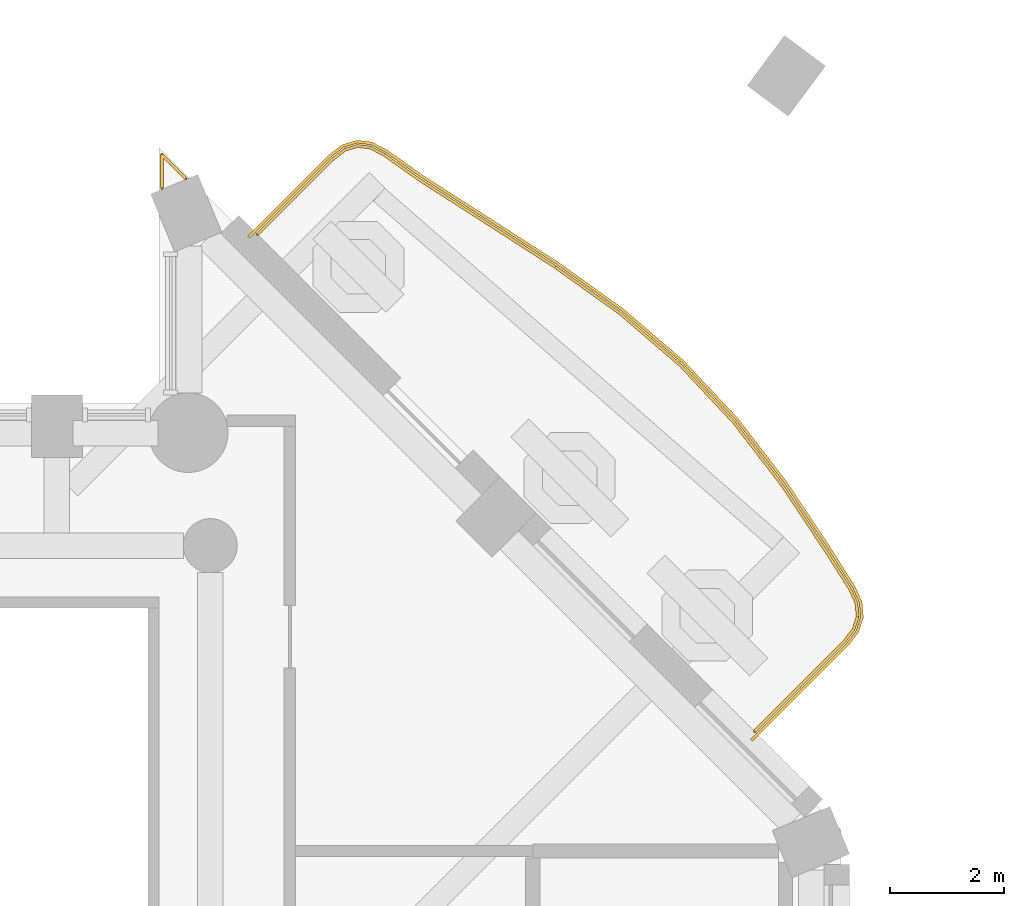
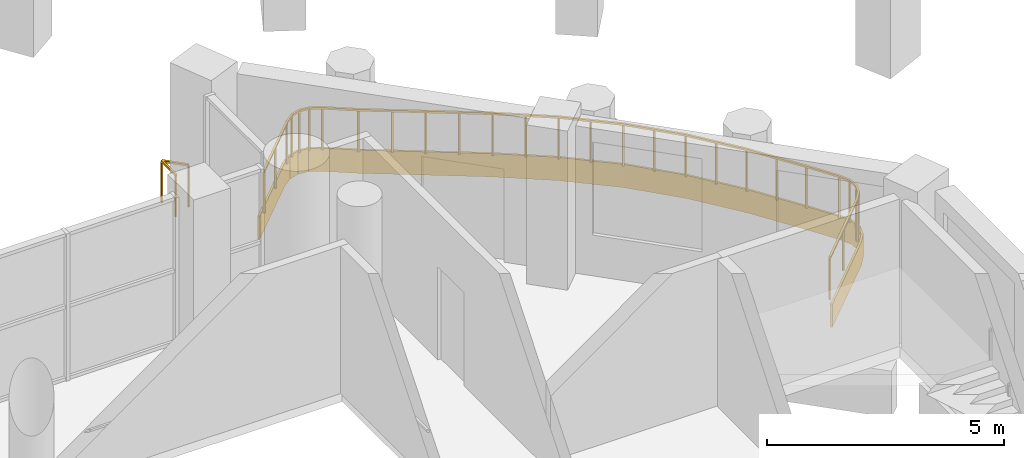
# One storey, part 14 of 15: 2 railings, 1 covering.
"""IFC4 building model written with IfcOpenShell, lengths in metres."""

from ifc_helpers import new_model, si_unit, direction, frame, origin, origin_2d, place, context, subcontext, project, spatial, polyline, rectangle, outline, extrude, material, layer, layer_set, type_object, element, save


model = new_model("IFC4")

# Units and contexts
model_context = context("Model", 3, precision=1e-05, world=origin(), true_north=direction((0.0, 1.0)))
body_context = subcontext(model_context, "Body", "Model", "MODEL_VIEW")
ifc_project = project(units=[si_unit("LENGTHUNIT", "METRE"), si_unit("AREAUNIT", "SQUARE_METRE"), si_unit("VOLUMEUNIT", "CUBIC_METRE"), si_unit("PLANEANGLEUNIT", "RADIAN"), si_unit("MASSUNIT", "GRAM", prefix="KILO")], contexts=[model_context])

# Site, building, storey
site_placement = place(None, origin())
site = spatial("IfcSite", under=ifc_project, at=site_placement, CompositionType="ELEMENT")
building_placement = place(site_placement, origin())
building = spatial("IfcBuilding", under=site, at=building_placement, Name="Cypress Arch Tower", CompositionType="ELEMENT")
storey_placement = place(building_placement, frame((0.0, 0.0, 164.60009765625)))
storey = spatial("IfcBuildingStorey", under=building, at=storey_placement, Name="L35", CompositionType="ELEMENT", Elevation=164.60009765625)

# Covering
ifc_material_1 = material(Name="White powder-coated aluminium fascia", Category="aluminium")
ifc_layer = layer(ifc_material_1, 0.050048828125)
ifc_layer_set = layer_set([ifc_layer], Name="Balcony fascia BF50")
covering_type = type_object("IfcCoveringType", Name="Balcony fascia BF50", PredefinedType="CLADDING", material=ifc_layer_set)
covering_placement = place(storey_placement, frame((0.0, 0.0, -0.60009765625)))
element("IfcCovering", 1, at=covering_placement, inside=storey, type_object=covering_type, Name="Balcony fascia L35-B05", PredefinedType="CLADDING", context=body_context, shape_type="SweptSolid", body=[
    extrude(outline(polyline([(11.089111328125, 16.8779296875), (11.326904296875, 17.05810546875), (11.582275390625, 17.135009765625), (11.846923828125, 17.102294921875), (12.111572265625, 16.964599609375), (12.744384765625, 16.516357421875), (13.937744140625, 15.751708984375), (15.13134765625, 14.984130859375), (16.276123046875, 14.164306640625), (17.333740234375, 13.255615234375), (18.286376953125, 12.241455078125), (19.140380859375, 11.1298828125), (19.92431640625, 9.951171875), (20.344482421875, 9.2880859375), (20.470703125, 9.0126953125), (20.494384765625, 8.740478515625), (20.41162109375, 8.480224609375), (20.22802734375, 8.2392578125), (18.545166015625, 6.556396484375), (18.509765625, 6.591796875), (20.190185546875, 8.272216796875), (20.36669921875, 8.503662109375), (20.44384765625, 8.74609375), (20.421630859375, 8.99951171875), (20.30029296875, 9.26416015625), (19.882568359375, 9.924072265625), (19.099609375, 11.100830078125), (18.248291015625, 12.208984375), (17.29931640625, 13.219482421875), (16.2451171875, 14.125), (15.103271484375, 14.942626953125), (13.910888671875, 15.709716796875), (12.71630859375, 16.474853515625), (12.08544921875, 16.921630859375), (11.831787109375, 17.0537109375), (11.586669921875, 17.084228515625), (11.35009765625, 17.012939453125), (11.1220703125, 16.840087890625), (9.691650390625, 15.40966796875), (9.65625, 15.445068359375), (11.089111328125, 16.8779296875)])), origin(), (0.0, 0.0, 1.0), 0.60009765625),
])

# Railings
ifc_material_2 = material(Name="Powder-coated steel posts and rods, 100 mm clear between rods", Category="steel")
railing_type_1 = type_object("IfcRailingType", Name="Balcony guard GR1100", PredefinedType="GUARDRAIL", material=ifc_material_2)
railing_1_placement = place(storey_placement, frame((9.83251953125, 15.479736328125, 0.0)))
element("IfcRailing", 2, at=railing_1_placement, inside=storey, type_object=railing_type_1, Name="Balcony guard L35-B05", PredefinedType="GUARDRAIL", context=body_context, shape_type="SweptSolid", body=[
    extrude(rectangle(XDim=0.050048828125, YDim=0.050048828125, at=origin_2d()), frame((0.0, 0.0, 1.0751953125), z_axis=(0.707106781187, 0.707106781187, 0.0), x_axis=(-0.707106781187, 0.707106781187, 0.0)), (0.0, 0.0, 1.0), 1.870361328125),
    extrude(rectangle(XDim=0.050048828125, YDim=0.050048828125, at=origin_2d()), frame((1.322509765625, 1.322509765625, 1.0751953125), z_axis=(0.796883847046, 0.604132546977, 0.0), x_axis=(-0.604132546977, 0.796883847046, 0.0)), (0.0, 0.0, 1.0), 0.273681640625),
    extrude(rectangle(XDim=0.050048828125, YDim=0.050048828125, at=origin_2d()), frame((1.54052734375, 1.48779296875, 1.0751953125), z_axis=(0.957411715841, 0.28872617888, 0.0), x_axis=(-0.28872617888, 0.957411715841, 0.0)), (0.0, 0.0, 1.0), 0.2275390625),
    extrude(rectangle(XDim=0.050048828125, YDim=0.050048828125, at=origin_2d()), frame((1.75830078125, 1.553466796875, 1.0751953125), z_axis=(0.992360181842, -0.123374509094, 0.0), x_axis=(0.123374509094, 0.992360181842, 0.0)), (0.0, 0.0, 1.0), 0.2275390625),
    extrude(rectangle(XDim=0.050048828125, YDim=0.050048828125, at=origin_2d()), frame((1.984130859375, 1.525390625, 1.0751953125), z_axis=(0.887172957686, -0.461437041372, 0.0), x_axis=(0.461437041372, 0.887172957686, 0.0)), (0.0, 0.0, 1.0), 0.2734375),
    extrude(rectangle(XDim=0.050048828125, YDim=0.050048828125, at=origin_2d()), frame((2.226806640625, 1.399169921875, 1.0751953125), z_axis=(0.816080490924, -0.577938259967, 0.0), x_axis=(0.577938259967, 0.816080490924, 0.0)), (0.0, 0.0, 1.0), 0.77099609375),
    extrude(rectangle(XDim=0.050048828125, YDim=0.050048828125, at=origin_2d()), frame((2.85595703125, 0.95361328125, 1.0751953125), z_axis=(0.842071434098, -0.539366016612, 0.0), x_axis=(0.539366016612, 0.842071434098, 0.0)), (0.0, 0.0, 1.0), 1.41943359375),
    extrude(rectangle(XDim=0.050048828125, YDim=0.050048828125, at=origin_2d()), frame((4.05126953125, 0.18798828125, 1.0751953125), z_axis=(0.841032855667, -0.54098404384, 0.0), x_axis=(0.54098404384, 0.841032855667, 0.0)), (0.0, 0.0, 1.0), 1.41650390625),
    extrude(rectangle(XDim=0.050048828125, YDim=0.050048828125, at=origin_2d()), frame((5.24267578125, -0.578369140625, 1.0751953125), z_axis=(0.813061821479, -0.582177356528, 0.0), x_axis=(0.582177356528, 0.813061821479, 0.0)), (0.0, 0.0, 1.0), 1.401123046875),
    extrude(rectangle(XDim=0.050048828125, YDim=0.050048828125, at=origin_2d()), frame((6.3818359375, -1.39404296875, 1.0751953125), z_axis=(0.758509354462, -0.651662151114, 0.0), x_axis=(0.651662151114, 0.758509354462, 0.0)), (0.0, 0.0, 1.0), 1.384765625),
    extrude(rectangle(XDim=0.050048828125, YDim=0.050048828125, at=origin_2d()), frame((7.43212890625, -2.29638671875, 1.0751953125), z_axis=(0.684575868373, -0.72894161662, 0.0), x_axis=(0.72894161662, 0.684575868373, 0.0)), (0.0, 0.0, 1.0), 1.38134765625),
    extrude(rectangle(XDim=0.050048828125, YDim=0.050048828125, at=origin_2d()), frame((8.377685546875, -3.30322265625, 1.0751953125), z_axis=(0.609100856846, -0.793092772751, 0.0), x_axis=(0.793092772751, 0.609100856846, 0.0)), (0.0, 0.0, 1.0), 1.393310546875),
    extrude(rectangle(XDim=0.050048828125, YDim=0.050048828125, at=origin_2d()), frame((9.226318359375, -4.408203125, 1.0751953125), z_axis=(0.553981328102, -0.832529091452, 0.0), x_axis=(0.832529091452, 0.553981328102, 0.0)), (0.0, 0.0, 1.0), 1.4111328125),
    extrude(rectangle(XDim=0.050048828125, YDim=0.050048828125, at=origin_2d()), frame((10.008056640625, -5.5830078125, 1.0751953125), z_axis=(0.535044606674, -0.844823809364, 0.0), x_axis=(0.844823809364, 0.535044606674, 0.0)), (0.0, 0.0, 1.0), 0.777099609375),
    extrude(rectangle(XDim=0.050048828125, YDim=0.050048828125, at=origin_2d()), frame((10.423828125, -6.239501953125, 1.0751953125), z_axis=(0.41650405768, -0.909133856996, 0.0), x_axis=(0.909133856996, 0.41650405768, 0.0)), (0.0, 0.0, 1.0), 0.279052734375),
    extrude(rectangle(XDim=0.050048828125, YDim=0.050048828125, at=origin_2d()), frame((10.5400390625, -6.4931640625, 1.0751953125), z_axis=(0.086987102677, -0.996209437803, 0.0), x_axis=(0.996209437803, 0.086987102677, 0.0)), (0.0, 0.0, 1.0), 0.23583984375),
    extrude(rectangle(XDim=0.050048828125, YDim=0.050048828125, at=origin_2d()), frame((10.560546875, -6.72802734375, 1.0751953125), z_axis=(-0.303460142389, -0.952844133099, 0.0), x_axis=(0.952844133099, -0.303460142389, 0.0)), (0.0, 0.0, 1.0), 0.23583984375),
    extrude(rectangle(XDim=0.050048828125, YDim=0.050048828125, at=origin_2d()), frame((10.489013671875, -6.95263671875, 1.0751953125), z_axis=(-0.605726693045, -0.795672780314, 0.0), x_axis=(0.795672780314, -0.605726693045, 0.0)), (0.0, 0.0, 1.0), 0.27880859375),
    extrude(rectangle(XDim=0.050048828125, YDim=0.050048828125, at=origin_2d()), frame((10.320068359375, -7.174560546875, 1.0751953125), z_axis=(-0.707106781187, -0.707106781187, 0.0), x_axis=(0.707106781187, -0.707106781187, 0.0)), (0.0, 0.0, 1.0), 2.22412109375),
    extrude(rectangle(XDim=0.0400390625, YDim=0.0400390625, at=origin_2d()), origin(), (0.0, 0.0, 1.0), 1.050048828125),
    extrude(rectangle(XDim=0.0400390625, YDim=0.0400390625, at=origin_2d()), frame((0.6611328125, 0.6611328125, 0.0)), (0.0, 0.0, 1.0), 1.050048828125),
    extrude(rectangle(XDim=0.0400390625, YDim=0.0400390625, at=origin_2d()), frame((1.322509765625, 1.322509765625, 0.0)), (0.0, 0.0, 1.0), 1.050048828125),
    extrude(rectangle(XDim=0.0400390625, YDim=0.0400390625, at=origin_2d()), frame((1.54052734375, 1.48779296875, 0.0)), (0.0, 0.0, 1.0), 1.050048828125),
    extrude(rectangle(XDim=0.0400390625, YDim=0.0400390625, at=origin_2d()), frame((1.75830078125, 1.553466796875, 0.0)), (0.0, 0.0, 1.0), 1.050048828125),
    extrude(rectangle(XDim=0.0400390625, YDim=0.0400390625, at=origin_2d()), frame((1.984130859375, 1.525390625, 0.0)), (0.0, 0.0, 1.0), 1.050048828125),
    extrude(rectangle(XDim=0.0400390625, YDim=0.0400390625, at=origin_2d()), frame((2.226806640625, 1.399169921875, 0.0)), (0.0, 0.0, 1.0), 1.050048828125),
    extrude(rectangle(XDim=0.0400390625, YDim=0.0400390625, at=origin_2d()), frame((2.85595703125, 0.95361328125, 0.0)), (0.0, 0.0, 1.0), 1.050048828125),
    extrude(rectangle(XDim=0.0400390625, YDim=0.0400390625, at=origin_2d()), frame((3.45361328125, 0.57080078125, 0.0)), (0.0, 0.0, 1.0), 1.050048828125),
    extrude(rectangle(XDim=0.0400390625, YDim=0.0400390625, at=origin_2d()), frame((4.05126953125, 0.18798828125, 0.0)), (0.0, 0.0, 1.0), 1.050048828125),
    extrude(rectangle(XDim=0.0400390625, YDim=0.0400390625, at=origin_2d()), frame((4.64697265625, -0.1953125, 0.0)), (0.0, 0.0, 1.0), 1.050048828125),
    extrude(rectangle(XDim=0.0400390625, YDim=0.0400390625, at=origin_2d()), frame((5.24267578125, -0.578369140625, 0.0)), (0.0, 0.0, 1.0), 1.050048828125),
    extrude(rectangle(XDim=0.0400390625, YDim=0.0400390625, at=origin_2d()), frame((5.812255859375, -0.986328125, 0.0)), (0.0, 0.0, 1.0), 1.050048828125),
    extrude(rectangle(XDim=0.0400390625, YDim=0.0400390625, at=origin_2d()), frame((6.3818359375, -1.39404296875, 0.0)), (0.0, 0.0, 1.0), 1.050048828125),
    extrude(rectangle(XDim=0.0400390625, YDim=0.0400390625, at=origin_2d()), frame((6.906982421875, -1.84521484375, 0.0)), (0.0, 0.0, 1.0), 1.050048828125),
    extrude(rectangle(XDim=0.0400390625, YDim=0.0400390625, at=origin_2d()), frame((7.43212890625, -2.29638671875, 0.0)), (0.0, 0.0, 1.0), 1.050048828125),
    extrude(rectangle(XDim=0.0400390625, YDim=0.0400390625, at=origin_2d()), frame((7.90478515625, -2.7998046875, 0.0)), (0.0, 0.0, 1.0), 1.050048828125),
    extrude(rectangle(XDim=0.0400390625, YDim=0.0400390625, at=origin_2d()), frame((8.377685546875, -3.30322265625, 0.0)), (0.0, 0.0, 1.0), 1.050048828125),
    extrude(rectangle(XDim=0.0400390625, YDim=0.0400390625, at=origin_2d()), frame((8.802001953125, -3.855712890625, 0.0)), (0.0, 0.0, 1.0), 1.050048828125),
    extrude(rectangle(XDim=0.0400390625, YDim=0.0400390625, at=origin_2d()), frame((9.226318359375, -4.408203125, 0.0)), (0.0, 0.0, 1.0), 1.050048828125),
    extrude(rectangle(XDim=0.0400390625, YDim=0.0400390625, at=origin_2d()), frame((9.6171875, -4.99560546875, 0.0)), (0.0, 0.0, 1.0), 1.050048828125),
    extrude(rectangle(XDim=0.0400390625, YDim=0.0400390625, at=origin_2d()), frame((10.008056640625, -5.5830078125, 0.0)), (0.0, 0.0, 1.0), 1.050048828125),
    extrude(rectangle(XDim=0.0400390625, YDim=0.0400390625, at=origin_2d()), frame((10.423828125, -6.239501953125, 0.0)), (0.0, 0.0, 1.0), 1.050048828125),
    extrude(rectangle(XDim=0.0400390625, YDim=0.0400390625, at=origin_2d()), frame((10.5400390625, -6.4931640625, 0.0)), (0.0, 0.0, 1.0), 1.050048828125),
    extrude(rectangle(XDim=0.0400390625, YDim=0.0400390625, at=origin_2d()), frame((10.560546875, -6.72802734375, 0.0)), (0.0, 0.0, 1.0), 1.050048828125),
    extrude(rectangle(XDim=0.0400390625, YDim=0.0400390625, at=origin_2d()), frame((10.489013671875, -6.95263671875, 0.0)), (0.0, 0.0, 1.0), 1.050048828125),
    extrude(rectangle(XDim=0.0400390625, YDim=0.0400390625, at=origin_2d()), frame((10.320068359375, -7.174560546875, 0.0)), (0.0, 0.0, 1.0), 1.050048828125),
    extrude(rectangle(XDim=0.0400390625, YDim=0.0400390625, at=origin_2d()), frame((9.53369140625, -7.9609375, 0.0)), (0.0, 0.0, 1.0), 1.050048828125),
    extrude(rectangle(XDim=0.0400390625, YDim=0.0400390625, at=origin_2d()), frame((8.747314453125, -8.747314453125, 0.0)), (0.0, 0.0, 1.0), 1.050048828125),
])
ifc_material_3 = material(Name="Powder-coated steel posts and rods, 100 mm clear between rods", Category="steel")
railing_type_2 = type_object("IfcRailingType", Name="Corner guard GR1100C", PredefinedType="GUARDRAIL", material=ifc_material_3)
railing_2_placement = place(storey_placement, frame((8.14990234375, 16.290771484375, 0.0)))
element("IfcRailing", 3, at=railing_2_placement, inside=storey, type_object=railing_type_2, Name="Corner guard L35 7", PredefinedType="GUARDRAIL", context=body_context, shape_type="SweptSolid", body=[
    extrude(rectangle(XDim=0.050048828125, YDim=0.050048828125, at=origin_2d()), frame((0.0, 0.0, 1.0751953125), z_axis=(0.0, 1.0, 0.0), x_axis=(-1.0, 0.0, 0.0)), (0.0, 0.0, 1.0), 0.588623046875),
    extrude(rectangle(XDim=0.050048828125, YDim=0.050048828125, at=origin_2d()), frame((0.0, 0.588623046875, 1.0751953125), z_axis=(0.707106781187, -0.707106781187, 0.0), x_axis=(0.707106781187, 0.707106781187, 0.0)), (0.0, 0.0, 1.0), 0.588623046875),
    extrude(rectangle(XDim=0.0400390625, YDim=0.0400390625, at=origin_2d()), origin(), (0.0, 0.0, 1.0), 1.050048828125),
    extrude(rectangle(XDim=0.0400390625, YDim=0.0400390625, at=origin_2d()), frame((0.0, 0.588623046875, 0.0)), (0.0, 0.0, 1.0), 1.050048828125),
    extrude(rectangle(XDim=0.0400390625, YDim=0.0400390625, at=origin_2d()), frame((0.416259765625, 0.17236328125, 0.0)), (0.0, 0.0, 1.0), 1.050048828125),
])

save(model, "model.ifc")
